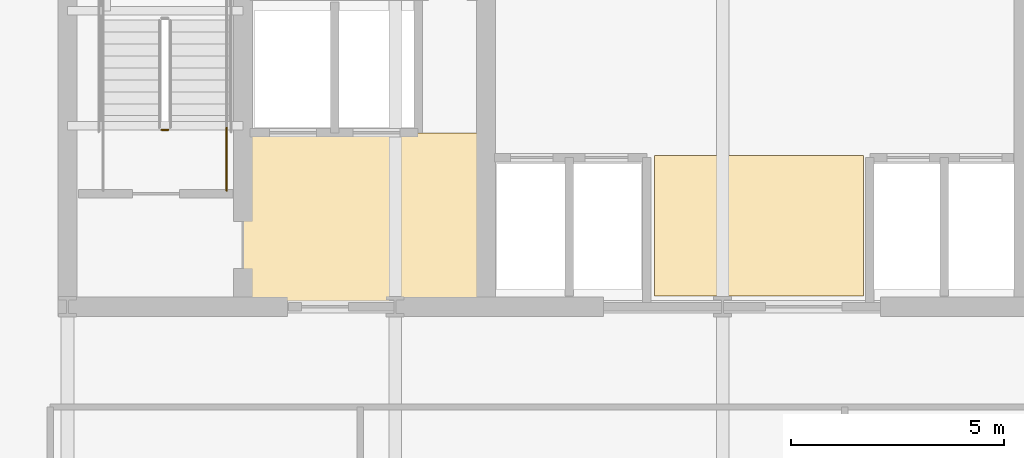
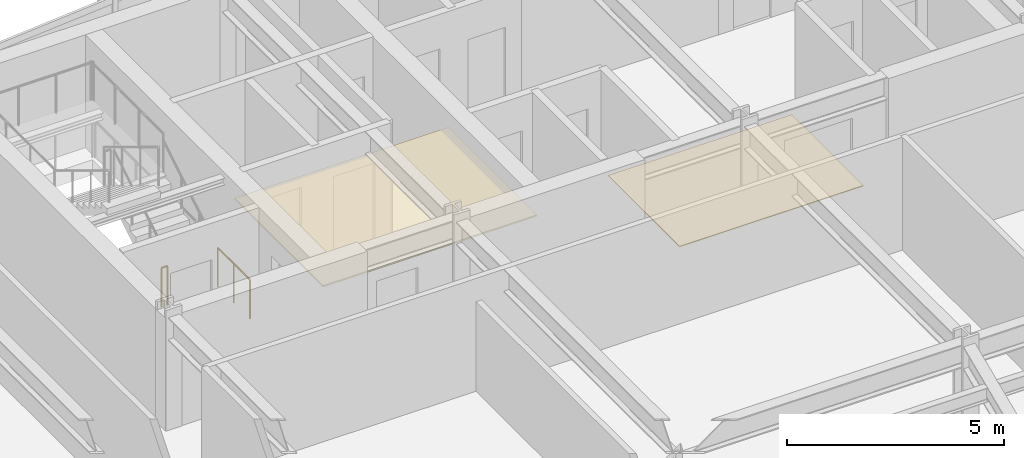
# One storey, part 29 of 33: 2 coverings, 2 railings.
"""IFC4 building model written with IfcOpenShell, lengths in metres."""

from ifc_helpers import new_model, si_unit, direction, frame, origin, origin_2d, place, context, subcontext, project, spatial, polyline, circle, outline, extrude, material, layer, layer_set, type_object, element, save


model = new_model("IFC4")

# Units and contexts
model_context = context("Model", 3, precision=1e-05, world=origin(), true_north=direction((0.0, 1.0)))
body_context = subcontext(model_context, "Body", "Model", "MODEL_VIEW")
ifc_project = project(units=[si_unit("LENGTHUNIT", "METRE"), si_unit("AREAUNIT", "SQUARE_METRE"), si_unit("VOLUMEUNIT", "CUBIC_METRE"), si_unit("PLANEANGLEUNIT", "RADIAN"), si_unit("MASSUNIT", "GRAM", prefix="KILO")], contexts=[model_context])

# Site, building, storey
site_placement = place(None, origin())
site = spatial("IfcSite", under=ifc_project, at=site_placement, CompositionType="ELEMENT")
building_placement = place(site_placement, origin())
building = spatial("IfcBuilding", under=site, at=building_placement, Name="Yelkora Congress Tower", CompositionType="ELEMENT")
storey_placement = place(building_placement, frame((0.0, 0.0, 89.699951171875)))
storey = spatial("IfcBuildingStorey", under=building, at=storey_placement, Name="L23", CompositionType="ELEMENT", Elevation=89.699951171875)

# Coverings
ifc_material_1 = material(Name="Perforated mineral-fibre acoustic ceiling", Category="gypsum")
ifc_layer_1 = layer(ifc_material_1, 0.0400390625)
ifc_layer_set_1 = layer_set([ifc_layer_1], Name="Perforated mineral-fibre acoustic ceiling")
covering_type_1 = type_object("IfcCoveringType", Name="COV-CEIL-ACOUSTIC-40", PredefinedType="CEILING", material=ifc_layer_set_1)
covering_1_placement = place(storey_placement, frame((0.0, 0.0, 2.400146484375)))
element("IfcCovering", 1, at=covering_1_placement, inside=storey, type_object=covering_type_1, Name="L23 Firefighting Lobby Acoustic Ceiling", PredefinedType="CEILING", context=body_context, shape_type="SweptSolid", body=[
    extrude(outline(polyline([(27.14990234375, 35.39990234375), (32.85009765625, 35.39990234375), (32.85009765625, 39.47998046875), (27.14990234375, 39.47998046875), (27.14990234375, 35.39990234375)])), origin(), (0.0, 0.0, 1.0), 0.039794921875),
])
ifc_material_2 = material(Name="Polished Anatolian grey granite tile", Category="masonry")
ifc_layer_2 = layer(ifc_material_2, 0.02001953125)
ifc_layer_set_2 = layer_set([ifc_layer_2], Name="Polished Anatolian grey granite tile")
covering_type_2 = type_object("IfcCoveringType", Name="COV-FLOOR-GRANITE-20", PredefinedType="FLOORING", material=ifc_layer_set_2)
covering_2_placement = place(storey_placement, origin())
element("IfcCovering", 2, at=covering_2_placement, inside=storey, type_object=covering_type_2, Name="L23 Lift Lobby Granite Flooring", PredefinedType="FLOORING", context=body_context, shape_type="SweptSolid", body=[
    extrude(outline(polyline([(36.800048828125, 35.64990234375), (41.699951171875, 35.64990234375), (41.699951171875, 38.949951171875), (36.800048828125, 38.949951171875), (36.800048828125, 35.64990234375)])), origin(), (0.0, 0.0, 1.0), 0.02001953125),
])

# Railings
ifc_material_3 = material(Name="Painted galvanised steel stair well guard with vertical infill", Category="steel")
ifc_layer_3 = layer(ifc_material_3, 0.06005859375)
ifc_layer_set_3 = layer_set([ifc_layer_3], Name="Painted galvanised steel stair well guard with vertical infill")
railing_type = type_object("IfcRailingType", Name="RAIL-STAIR-GUARD-1120", PredefinedType="GUARDRAIL", material=ifc_layer_set_3)
railing_1_placement = place(storey_placement, frame((25.39990234375, 39.550048828125, 0.0)))
element("IfcRailing", 3, at=railing_1_placement, inside=storey, type_object=railing_type, Name="ST-01 L23 Stair Well Guardrail 7", PredefinedType="GUARDRAIL", context=body_context, shape_type="SweptSolid", body=[
    extrude(circle(Radius=0.02392578125, at=origin_2d()), frame((0.0, 0.0, 1.09619140625), z_axis=(-1.0, 0.0, 0.0), x_axis=(0.0, -1.0, 0.0)), (0.0, 0.0, 1.0), 0.159912109375),
    extrude(circle(Radius=0.02099609375, at=origin_2d()), origin(), (0.0, 0.0, 1.0), 1.072021484375),
    extrude(circle(Radius=0.02099609375, at=origin_2d()), frame((-0.159912109375, 0.0, 0.0)), (0.0, 0.0, 1.0), 1.072021484375),
])
railing_2_placement = place(storey_placement, frame((26.77001953125, 38.1201171875, 0.0)))
element("IfcRailing", 4, at=railing_2_placement, inside=storey, type_object=railing_type, Name="ST-01 L23 Stair Well Guardrail 8", PredefinedType="GUARDRAIL", context=body_context, shape_type="SweptSolid", body=[
    extrude(circle(Radius=0.02392578125, at=origin_2d()), frame((0.0, 0.0, 1.09619140625), z_axis=(0.0, 1.0, 0.0), x_axis=(-1.0, 0.0, 0.0)), (0.0, 0.0, 1.0), 1.47998046875),
    extrude(circle(Radius=0.02099609375, at=origin_2d()), origin(), (0.0, 0.0, 1.0), 1.072021484375),
    extrude(circle(Radius=0.02099609375, at=origin_2d()), frame((0.0, 0.739990234375, 0.0)), (0.0, 0.0, 1.0), 1.072021484375),
    extrude(circle(Radius=0.02099609375, at=origin_2d()), frame((0.0, 1.47998046875, 0.0)), (0.0, 0.0, 1.0), 1.072021484375),
])

save(model, "model.ifc")
